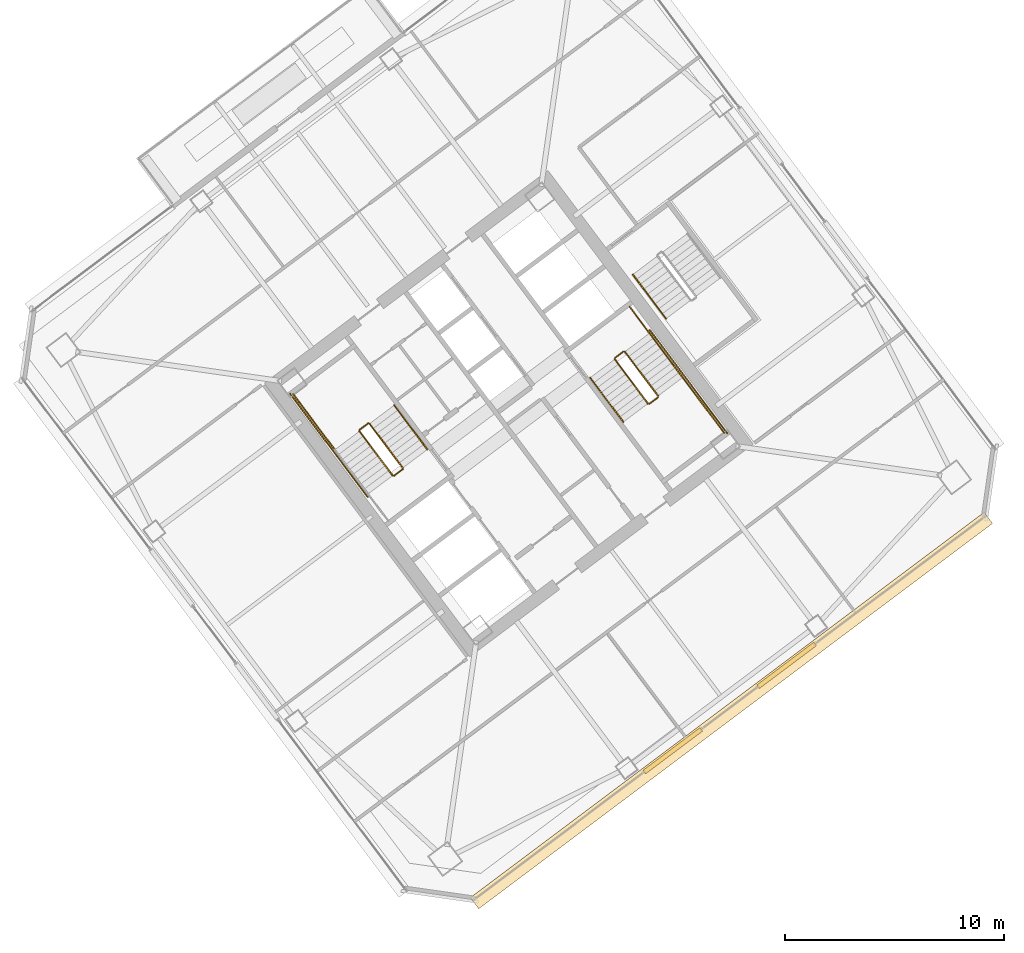
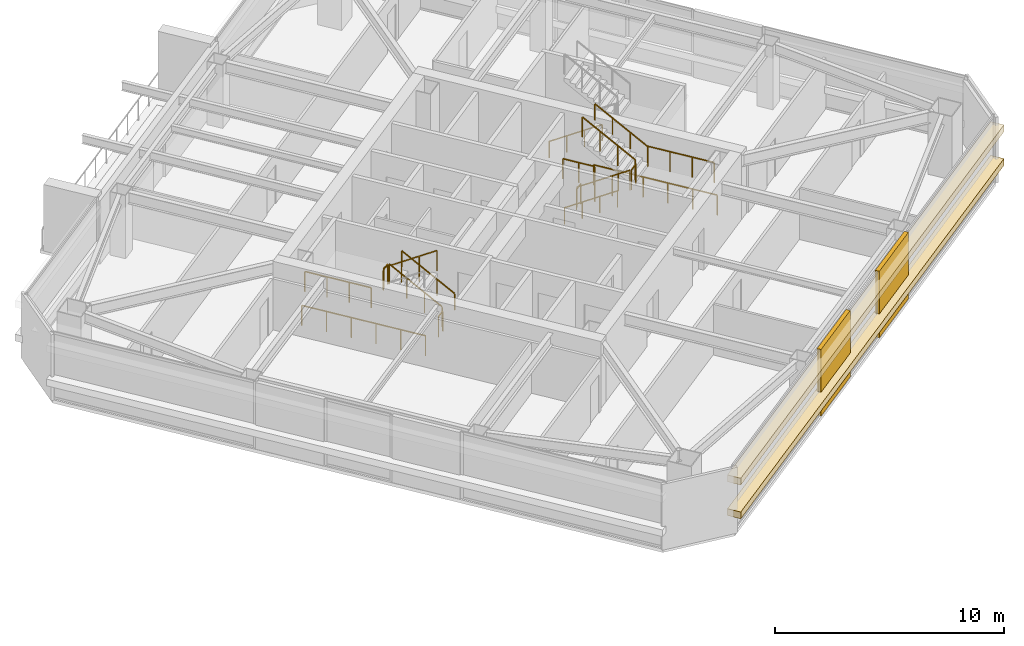
# One storey, part 40 of 43: 17 railings, 4 coverings.
"""IFC4 building model written with IfcOpenShell, lengths in metres."""

from ifc_helpers import new_model, si_unit, direction, frame, origin, origin_2d, place, context, subcontext, project, spatial, rectangle, extrude, material, layer, layer_set, type_object, element, save


model = new_model("IFC4")

# Units and contexts
model_context = context("Model", 3, precision=1e-05, world=origin(), true_north=direction((0.0, 1.0)))
body_context = subcontext(model_context, "Body", "Model", "MODEL_VIEW")
ifc_project = project(units=[si_unit("LENGTHUNIT", "METRE"), si_unit("AREAUNIT", "SQUARE_METRE"), si_unit("VOLUMEUNIT", "CUBIC_METRE"), si_unit("PLANEANGLEUNIT", "RADIAN"), si_unit("MASSUNIT", "GRAM", prefix="KILO")], contexts=[model_context])

# Site, building, storey
site_placement = place(None, origin())
site = spatial("IfcSite", under=ifc_project, at=site_placement, CompositionType="ELEMENT")
building_placement = place(site_placement, origin())
building = spatial("IfcBuilding", under=site, at=building_placement, Name="Tashvorn Skyway Center", CompositionType="ELEMENT")
storey_placement = place(building_placement, frame((0.0, 0.0, 188.949951171875)))
storey = spatial("IfcBuildingStorey", under=building, at=storey_placement, Name="L51", CompositionType="ELEMENT", Elevation=188.949951171875)

# Coverings
ifc_material_1 = material(Name="Precast concrete C40/50", Category="concrete")
ifc_layer_1 = layer(ifc_material_1, 0.199951171875)
ifc_layer_set_1 = layer_set([ifc_layer_1], Name="Precast concrete C40/50")
covering_type_1 = type_object("IfcCoveringType", Name="COV-BRACE-CLAD", PredefinedType="CLADDING", material=ifc_layer_set_1)
for number, where, z_axis, x_axis, name in (
    (1, (126.659912109375, 20.52001953125, 0.0), (0.0, 0.0, 1.0), (-0.799999996291, -0.600000004945, 0.0), "Tower 2 L51 South Unitised Curtain Wall Mega-Brace Cladding Band 1"),
    (2, (121.47607421875, 16.632080078125, 0.0), (0.0, 0.0, 1.0), (-0.799999996291, -0.600000004945, 0.0), "Tower 2 L51 South Unitised Curtain Wall Mega-Brace Cladding Band 2"),
):
    element("IfcCovering", number, at=place(storey_placement, frame(where, z_axis=z_axis, x_axis=x_axis)), inside=storey, type_object=covering_type_1, Name=name, PredefinedType="CLADDING", context=body_context, shape_type="SweptSolid", body=[
        extrude(rectangle(XDim=3.239990234375, YDim=0.199951171875, at=origin_2d()), origin(), (0.0, 0.0, 1.0), 3.550048828125),
    ])
ifc_material_2 = material(Name="Perforated ceramic-coated bronze aluminium solar screen", Category="aluminium")
ifc_layer_2 = layer(ifc_material_2, 0.85009765625)
ifc_layer_set_2 = layer_set([ifc_layer_2], Name="Perforated ceramic-coated bronze aluminium solar screen")
covering_type_2 = type_object("IfcCoveringType", Name="COV-SOLAR-BAND", PredefinedType="CLADDING", material=ifc_layer_set_2)
for number, where, z_axis, x_axis, name in (
    (3, (124.152099609375, 18.464111328125, 0.919921875), (0.0, 0.0, 1.0), (-0.799999996291, -0.600000004945, 0.0), "L51 Perforated Ceramic-Metal Solar Screen Louvre Band South 1"),
    (4, (124.152099609375, 18.464111328125, 2.72021484375), (0.0, 0.0, 1.0), (-0.799999996291, -0.600000004945, 0.0), "L51 Perforated Ceramic-Metal Solar Screen Louvre Band South 2"),
):
    element("IfcCovering", number, at=place(storey_placement, frame(where, z_axis=z_axis, x_axis=x_axis)), inside=storey, type_object=covering_type_2, Name=name, PredefinedType="CLADDING", context=body_context, shape_type="SweptSolid", body=[
        extrude(rectangle(XDim=29.280029296875, YDim=0.639892578125, at=origin_2d()), origin(), (0.0, 0.0, 1.0), 0.360107421875),
    ])

# Railings
ifc_material_3 = material(Name="Brushed stainless steel 316", Category="steel")
railing_type_1 = type_object("IfcRailingType", Name="RAIL-HAND-920", PredefinedType="HANDRAIL", material=ifc_material_3)
railing_1_placement = place(storey_placement, frame((110.2880859375, 30.365966796875, 0.177490234375)))
element("IfcRailing", 5, at=railing_1_placement, inside=storey, type_object=railing_type_1, Name="L51 ST-T2-1 stair handrail 1", PredefinedType="HANDRAIL", context=body_context, shape_type="SweptSolid", body=[
    extrude(rectangle(XDim=0.048095703125, YDim=0.048095703125, at=origin_2d()), frame((0.0, 0.0, 0.8759765625), z_axis=(-0.506779409603, 0.675651334276, 0.53541563714), x_axis=(-0.799976749893, -0.600030998891, 0.0)), (0.0, 0.0, 1.0), 2.98388671875),
    extrude(rectangle(XDim=0.0419921875, YDim=0.0419921875, at=origin_2d()), origin(), (0.0, 0.0, 1.0), 0.851806640625),
    extrude(rectangle(XDim=0.0419921875, YDim=0.0419921875, at=origin_2d()), frame((-0.504150390625, 0.672119140625, 0.532470703125)), (0.0, 0.0, 1.0), 0.851806640625),
    extrude(rectangle(XDim=0.0419921875, YDim=0.0419921875, at=origin_2d()), frame((-1.008056640625, 1.343994140625, 1.065185546875)), (0.0, 0.0, 1.0), 0.851806640625),
    extrude(rectangle(XDim=0.0419921875, YDim=0.0419921875, at=origin_2d()), frame((-1.51220703125, 2.01611328125, 1.59765625)), (0.0, 0.0, 1.0), 0.851806640625),
])
railing_2_placement = place(storey_placement, frame((117.7119140625, 33.634033203125, 0.177490234375)))
element("IfcRailing", 6, at=railing_2_placement, inside=storey, type_object=railing_type_1, Name="L51 ST-T2-2 stair handrail 1", PredefinedType="HANDRAIL", context=body_context, shape_type="SweptSolid", body=[
    extrude(rectangle(XDim=0.048095703125, YDim=0.048095703125, at=origin_2d()), frame((0.0, 0.0, 0.8759765625), z_axis=(0.506779409603, -0.675651334276, 0.53541563714), x_axis=(0.799976749893, 0.600030998891, 0.0)), (0.0, 0.0, 1.0), 2.98388671875),
    extrude(rectangle(XDim=0.0419921875, YDim=0.0419921875, at=origin_2d()), origin(), (0.0, 0.0, 1.0), 0.851806640625),
    extrude(rectangle(XDim=0.0419921875, YDim=0.0419921875, at=origin_2d()), frame((0.504150390625, -0.672119140625, 0.532470703125)), (0.0, 0.0, 1.0), 0.851806640625),
    extrude(rectangle(XDim=0.0419921875, YDim=0.0419921875, at=origin_2d()), frame((1.008056640625, -1.343994140625, 1.065185546875)), (0.0, 0.0, 1.0), 0.851806640625),
    extrude(rectangle(XDim=0.0419921875, YDim=0.0419921875, at=origin_2d()), frame((1.51220703125, -2.01611328125, 1.59765625)), (0.0, 0.0, 1.0), 0.851806640625),
])
railing_3_placement = place(storey_placement, frame((121.927978515625, 33.64599609375, 1.95263671875)))
element("IfcRailing", 7, at=railing_3_placement, inside=storey, type_object=railing_type_1, Name="L51 ST-T2-2 stair handrail 2", PredefinedType="HANDRAIL", context=body_context, shape_type="SweptSolid", body=[
    extrude(rectangle(XDim=0.048095703125, YDim=0.048095703125, at=origin_2d()), frame((0.0, 0.0, 0.8759765625), z_axis=(-0.506740800098, 0.675708949977, 0.535379469569), x_axis=(-0.800023250257, -0.599968998406, 0.0)), (0.0, 0.0, 1.0), 2.983642578125),
    extrude(rectangle(XDim=0.0419921875, YDim=0.0419921875, at=origin_2d()), origin(), (0.0, 0.0, 1.0), 0.851806640625),
    extrude(rectangle(XDim=0.0419921875, YDim=0.0419921875, at=origin_2d()), frame((-0.50390625, 0.672119140625, 0.532470703125)), (0.0, 0.0, 1.0), 0.851806640625),
    extrude(rectangle(XDim=0.0419921875, YDim=0.0419921875, at=origin_2d()), frame((-1.008056640625, 1.343994140625, 1.06494140625)), (0.0, 0.0, 1.0), 0.851806640625),
    extrude(rectangle(XDim=0.0419921875, YDim=0.0419921875, at=origin_2d()), frame((-1.511962890625, 2.01611328125, 1.597412109375)), (0.0, 0.0, 1.0), 0.851806640625),
])
railing_4_placement = place(storey_placement, frame((119.656005859375, 38.342041015625, 0.177490234375)))
element("IfcRailing", 8, at=railing_4_placement, inside=storey, type_object=railing_type_1, Name="L51 ST-T2-3 stair handrail 1", PredefinedType="HANDRAIL", context=body_context, shape_type="SweptSolid", body=[
    extrude(rectangle(XDim=0.048095703125, YDim=0.048095703125, at=origin_2d()), frame((0.0, 0.0, 0.8759765625), z_axis=(0.506718600913, -0.675679348675, 0.535437836974), x_axis=(0.800023250257, 0.599968998406, 0.0)), (0.0, 0.0, 1.0), 2.98388671875),
    extrude(rectangle(XDim=0.0419921875, YDim=0.0419921875, at=origin_2d()), origin(), (0.0, 0.0, 1.0), 0.851806640625),
    extrude(rectangle(XDim=0.0419921875, YDim=0.0419921875, at=origin_2d()), frame((0.50390625, -0.672119140625, 0.532470703125)), (0.0, 0.0, 1.0), 0.851806640625),
    extrude(rectangle(XDim=0.0419921875, YDim=0.0419921875, at=origin_2d()), frame((1.008056640625, -1.343994140625, 1.065185546875)), (0.0, 0.0, 1.0), 0.851806640625),
    extrude(rectangle(XDim=0.0419921875, YDim=0.0419921875, at=origin_2d()), frame((1.511962890625, -2.01611328125, 1.59765625)), (0.0, 0.0, 1.0), 0.851806640625),
])
ifc_material_4 = material(Name="Painted galvanized steel S355", Category="steel")
railing_type_2 = type_object("IfcRailingType", Name="RAIL-STGUARD-1100", PredefinedType="GUARDRAIL", material=ifc_material_4)
railing_5_placement = place(storey_placement, frame((109.16796875, 29.52587890625, 0.177490234375)))
element("IfcRailing", 9, at=railing_5_placement, inside=storey, type_object=railing_type_2, Name="L51 ST-T2-1 stair guard 1", PredefinedType="GUARDRAIL", context=body_context, shape_type="SweptSolid", body=[
    extrude(rectangle(XDim=0.048095703125, YDim=0.048095703125, at=origin_2d()), frame((0.0, 0.0, 1.076171875), z_axis=(-0.506718600913, 0.675679348675, 0.535437836974), x_axis=(-0.800023250257, -0.599968998406, 0.0)), (0.0, 0.0, 1.0), 2.98388671875),
    extrude(rectangle(XDim=0.0419921875, YDim=0.0419921875, at=origin_2d()), origin(), (0.0, 0.0, 1.0), 1.052001953125),
    extrude(rectangle(XDim=0.0419921875, YDim=0.0419921875, at=origin_2d()), frame((-0.50390625, 0.672119140625, 0.532470703125)), (0.0, 0.0, 1.0), 1.052001953125),
    extrude(rectangle(XDim=0.0419921875, YDim=0.0419921875, at=origin_2d()), frame((-1.008056640625, 1.343994140625, 1.065185546875)), (0.0, 0.0, 1.0), 1.052001953125),
    extrude(rectangle(XDim=0.0419921875, YDim=0.0419921875, at=origin_2d()), frame((-1.511962890625, 2.01611328125, 1.59765625)), (0.0, 0.0, 1.0), 1.052001953125),
])
railing_6_placement = place(storey_placement, frame((107.5859375, 31.552001953125, 1.775146484375)))
element("IfcRailing", 10, at=railing_6_placement, inside=storey, type_object=railing_type_2, Name="L51 ST-T2-1 stair guard 2", PredefinedType="GUARDRAIL", context=body_context, shape_type="SweptSolid", body=[
    extrude(rectangle(XDim=0.048095703125, YDim=0.048095703125, at=origin_2d()), frame((0.0, 0.0, 1.076171875), z_axis=(-0.799938970639, -0.600081363861, 0.0), x_axis=(0.600081363861, -0.799938970639, 0.0)), (0.0, 0.0, 1.0), 0.47998046875),
    extrude(rectangle(XDim=0.0419921875, YDim=0.0419921875, at=origin_2d()), origin(), (0.0, 0.0, 1.0), 1.052001953125),
    extrude(rectangle(XDim=0.0419921875, YDim=0.0419921875, at=origin_2d()), frame((-0.384033203125, -0.2880859375, 0.0)), (0.0, 0.0, 1.0), 1.052001953125),
])
railing_7_placement = place(storey_placement, frame((106.072021484375, 30.35400390625, 1.775146484375)))
element("IfcRailing", 11, at=railing_7_placement, inside=storey, type_object=railing_type_2, Name="L51 ST-T2-1 stair guard 3", PredefinedType="GUARDRAIL", context=body_context, shape_type="SweptSolid", body=[
    extrude(rectangle(XDim=0.048095703125, YDim=0.048095703125, at=origin_2d()), frame((0.0, 0.0, 1.076171875), z_axis=(-0.599987638607, 0.800009270896, 0.0), x_axis=(-0.800009270896, -0.599987638607, 0.0)), (0.0, 0.0, 1.0), 3.16015625),
    extrude(rectangle(XDim=0.0419921875, YDim=0.0419921875, at=origin_2d()), origin(), (0.0, 0.0, 1.0), 1.052001953125),
    extrude(rectangle(XDim=0.0419921875, YDim=0.0419921875, at=origin_2d()), frame((-0.632080078125, 0.8427734375, 0.0)), (0.0, 0.0, 1.0), 1.052001953125),
    extrude(rectangle(XDim=0.0419921875, YDim=0.0419921875, at=origin_2d()), frame((-1.263916015625, 1.685302734375, 0.0)), (0.0, 0.0, 1.0), 1.052001953125),
    extrude(rectangle(XDim=0.0419921875, YDim=0.0419921875, at=origin_2d()), frame((-1.89599609375, 2.528076171875, 0.0)), (0.0, 0.0, 1.0), 1.052001953125),
])
railing_8_placement = place(storey_placement, frame((107.19189453125, 31.194091796875, 1.95263671875)))
element("IfcRailing", 12, at=railing_8_placement, inside=storey, type_object=railing_type_2, Name="L51 ST-T2-1 stair guard 4", PredefinedType="GUARDRAIL", context=body_context, shape_type="SweptSolid", body=[
    extrude(rectangle(XDim=0.048095703125, YDim=0.048095703125, at=origin_2d()), frame((0.0, 0.0, 1.076171875), z_axis=(0.506801609611, -0.675680931896, 0.535357270211), x_axis=(0.799976749893, 0.600030998891, 0.0)), (0.0, 0.0, 1.0), 2.98388671875),
    extrude(rectangle(XDim=0.0419921875, YDim=0.0419921875, at=origin_2d()), origin(), (0.0, 0.0, 1.0), 1.052001953125),
    extrude(rectangle(XDim=0.0419921875, YDim=0.0419921875, at=origin_2d()), frame((0.504150390625, -0.672119140625, 0.532470703125)), (0.0, 0.0, 1.0), 1.052001953125),
    extrude(rectangle(XDim=0.0419921875, YDim=0.0419921875, at=origin_2d()), frame((1.008056640625, -1.343994140625, 1.06494140625)), (0.0, 0.0, 1.0), 1.052001953125),
    extrude(rectangle(XDim=0.0419921875, YDim=0.0419921875, at=origin_2d()), frame((1.51220703125, -2.01611328125, 1.597412109375)), (0.0, 0.0, 1.0), 1.052001953125),
])
railing_9_placement = place(storey_placement, frame((109.157958984375, 29.4560546875, 0.0)))
element("IfcRailing", 13, at=railing_9_placement, inside=storey, type_object=railing_type_2, Name="L51 ST-T2-1 stair guard 5", PredefinedType="GUARDRAIL", context=body_context, shape_type="SweptSolid", body=[
    extrude(rectangle(XDim=0.048095703125, YDim=0.048095703125, at=origin_2d()), frame((0.0, 0.0, 1.076171875), z_axis=(-0.799938970639, -0.600081363861, 0.0), x_axis=(0.600081363861, -0.799938970639, 0.0)), (0.0, 0.0, 1.0), 0.47998046875),
    extrude(rectangle(XDim=0.0419921875, YDim=0.0419921875, at=origin_2d()), origin(), (0.0, 0.0, 1.0), 1.052001953125),
    extrude(rectangle(XDim=0.0419921875, YDim=0.0419921875, at=origin_2d()), frame((-0.384033203125, -0.2880859375, 0.0)), (0.0, 0.0, 1.0), 1.052001953125),
])
railing_10_placement = place(storey_placement, frame((107.56396484375, 28.197998046875, 0.0)))
element("IfcRailing", 14, at=railing_10_placement, inside=storey, type_object=railing_type_2, Name="L51 ST-T2-1 stair guard 7", PredefinedType="GUARDRAIL", context=body_context, shape_type="SweptSolid", body=[
    extrude(rectangle(XDim=0.048095703125, YDim=0.048095703125, at=origin_2d()), frame((0.0, 0.0, 1.076171875), z_axis=(-0.6, 0.8, 0.0), x_axis=(-0.8, -0.6, 0.0)), (0.0, 0.0, 1.0), 5.880126953125),
    extrude(rectangle(XDim=0.0419921875, YDim=0.0419921875, at=origin_2d()), origin(), (0.0, 0.0, 1.0), 1.052001953125),
    extrude(rectangle(XDim=0.0419921875, YDim=0.0419921875, at=origin_2d()), frame((-0.70556640625, 0.94091796875, 0.0)), (0.0, 0.0, 1.0), 1.052001953125),
    extrude(rectangle(XDim=0.0419921875, YDim=0.0419921875, at=origin_2d()), frame((-1.4111328125, 1.881591796875, 0.0)), (0.0, 0.0, 1.0), 1.052001953125),
    extrude(rectangle(XDim=0.0419921875, YDim=0.0419921875, at=origin_2d()), frame((-2.116943359375, 2.822509765625, 0.0)), (0.0, 0.0, 1.0), 1.052001953125),
    extrude(rectangle(XDim=0.0419921875, YDim=0.0419921875, at=origin_2d()), frame((-2.822509765625, 3.76318359375, 0.0)), (0.0, 0.0, 1.0), 1.052001953125),
    extrude(rectangle(XDim=0.0419921875, YDim=0.0419921875, at=origin_2d()), frame((-3.528076171875, 4.7041015625, 0.0)), (0.0, 0.0, 1.0), 1.052001953125),
])
railing_11_placement = place(storey_placement, frame((118.83203125, 34.47412109375, 0.177490234375)))
element("IfcRailing", 15, at=railing_11_placement, inside=storey, type_object=railing_type_2, Name="L51 ST-T2-2 stair guard 1", PredefinedType="GUARDRAIL", context=body_context, shape_type="SweptSolid", body=[
    extrude(rectangle(XDim=0.048095703125, YDim=0.048095703125, at=origin_2d()), frame((0.0, 0.0, 1.076171875), z_axis=(0.506718600913, -0.675679348675, 0.535437836974), x_axis=(0.800023250257, 0.599968998406, 0.0)), (0.0, 0.0, 1.0), 2.98388671875),
    extrude(rectangle(XDim=0.0419921875, YDim=0.0419921875, at=origin_2d()), origin(), (0.0, 0.0, 1.0), 1.052001953125),
    extrude(rectangle(XDim=0.0419921875, YDim=0.0419921875, at=origin_2d()), frame((0.50390625, -0.672119140625, 0.532470703125)), (0.0, 0.0, 1.0), 1.052001953125),
    extrude(rectangle(XDim=0.0419921875, YDim=0.0419921875, at=origin_2d()), frame((1.008056640625, -1.343994140625, 1.065185546875)), (0.0, 0.0, 1.0), 1.052001953125),
    extrude(rectangle(XDim=0.0419921875, YDim=0.0419921875, at=origin_2d()), frame((1.511962890625, -2.01611328125, 1.59765625)), (0.0, 0.0, 1.0), 1.052001953125),
])
railing_12_placement = place(storey_placement, frame((120.4140625, 32.447998046875, 1.775146484375)))
element("IfcRailing", 16, at=railing_12_placement, inside=storey, type_object=railing_type_2, Name="L51 ST-T2-2 stair guard 2", PredefinedType="GUARDRAIL", context=body_context, shape_type="SweptSolid", body=[
    extrude(rectangle(XDim=0.048095703125, YDim=0.048095703125, at=origin_2d()), frame((0.0, 0.0, 1.076171875), z_axis=(0.799938970639, 0.600081363861, 0.0), x_axis=(-0.600081363861, 0.799938970639, 0.0)), (0.0, 0.0, 1.0), 0.47998046875),
    extrude(rectangle(XDim=0.0419921875, YDim=0.0419921875, at=origin_2d()), origin(), (0.0, 0.0, 1.0), 1.052001953125),
    extrude(rectangle(XDim=0.0419921875, YDim=0.0419921875, at=origin_2d()), frame((0.384033203125, 0.2880859375, 0.0)), (0.0, 0.0, 1.0), 1.052001953125),
])
railing_13_placement = place(storey_placement, frame((121.927978515625, 33.64599609375, 1.775146484375)))
element("IfcRailing", 17, at=railing_13_placement, inside=storey, type_object=railing_type_2, Name="L51 ST-T2-2 stair guard 3", PredefinedType="GUARDRAIL", context=body_context, shape_type="SweptSolid", body=[
    extrude(rectangle(XDim=0.048095703125, YDim=0.048095703125, at=origin_2d()), frame((0.0, 0.0, 1.076171875), z_axis=(0.599987638607, -0.800009270896, 0.0), x_axis=(0.800009270896, 0.599987638607, 0.0)), (0.0, 0.0, 1.0), 3.16015625),
    extrude(rectangle(XDim=0.0419921875, YDim=0.0419921875, at=origin_2d()), origin(), (0.0, 0.0, 1.0), 1.052001953125),
    extrude(rectangle(XDim=0.0419921875, YDim=0.0419921875, at=origin_2d()), frame((0.632080078125, -0.8427734375, 0.0)), (0.0, 0.0, 1.0), 1.052001953125),
    extrude(rectangle(XDim=0.0419921875, YDim=0.0419921875, at=origin_2d()), frame((1.263916015625, -1.685302734375, 0.0)), (0.0, 0.0, 1.0), 1.052001953125),
    extrude(rectangle(XDim=0.0419921875, YDim=0.0419921875, at=origin_2d()), frame((1.89599609375, -2.528076171875, 0.0)), (0.0, 0.0, 1.0), 1.052001953125),
])
railing_14_placement = place(storey_placement, frame((120.80810546875, 32.805908203125, 1.95263671875)))
element("IfcRailing", 18, at=railing_14_placement, inside=storey, type_object=railing_type_2, Name="L51 ST-T2-2 stair guard 4", PredefinedType="GUARDRAIL", context=body_context, shape_type="SweptSolid", body=[
    extrude(rectangle(XDim=0.048095703125, YDim=0.048095703125, at=origin_2d()), frame((0.0, 0.0, 1.076171875), z_axis=(-0.506801609611, 0.675680931896, 0.535357270211), x_axis=(-0.799976749893, -0.600030998891, 0.0)), (0.0, 0.0, 1.0), 2.98388671875),
    extrude(rectangle(XDim=0.0419921875, YDim=0.0419921875, at=origin_2d()), origin(), (0.0, 0.0, 1.0), 1.052001953125),
    extrude(rectangle(XDim=0.0419921875, YDim=0.0419921875, at=origin_2d()), frame((-0.504150390625, 0.672119140625, 0.532470703125)), (0.0, 0.0, 1.0), 1.052001953125),
    extrude(rectangle(XDim=0.0419921875, YDim=0.0419921875, at=origin_2d()), frame((-1.008056640625, 1.343994140625, 1.06494140625)), (0.0, 0.0, 1.0), 1.052001953125),
    extrude(rectangle(XDim=0.0419921875, YDim=0.0419921875, at=origin_2d()), frame((-1.51220703125, 2.01611328125, 1.597412109375)), (0.0, 0.0, 1.0), 1.052001953125),
])
railing_15_placement = place(storey_placement, frame((118.842041015625, 34.5439453125, 0.0)))
element("IfcRailing", 19, at=railing_15_placement, inside=storey, type_object=railing_type_2, Name="L51 ST-T2-2 stair guard 5", PredefinedType="GUARDRAIL", context=body_context, shape_type="SweptSolid", body=[
    extrude(rectangle(XDim=0.048095703125, YDim=0.048095703125, at=origin_2d()), frame((0.0, 0.0, 1.076171875), z_axis=(0.799938970639, 0.600081363861, 0.0), x_axis=(-0.600081363861, 0.799938970639, 0.0)), (0.0, 0.0, 1.0), 0.47998046875),
    extrude(rectangle(XDim=0.0419921875, YDim=0.0419921875, at=origin_2d()), origin(), (0.0, 0.0, 1.0), 1.052001953125),
    extrude(rectangle(XDim=0.0419921875, YDim=0.0419921875, at=origin_2d()), frame((0.384033203125, 0.2880859375, 0.0)), (0.0, 0.0, 1.0), 1.052001953125),
])
railing_16_placement = place(storey_placement, frame((119.50390625, 36.8779296875, 0.0)))
element("IfcRailing", 20, at=railing_16_placement, inside=storey, type_object=railing_type_2, Name="L51 ST-T2-2 stair guard 6", PredefinedType="GUARDRAIL", context=body_context, shape_type="SweptSolid", body=[
    extrude(rectangle(XDim=0.048095703125, YDim=0.048095703125, at=origin_2d()), frame((0.0, 0.0, 1.076171875), z_axis=(0.600102796382, -0.799922892393, 0.0), x_axis=(0.799922892393, 0.600102796382, 0.0)), (0.0, 0.0, 1.0), 1.52001953125),
    extrude(rectangle(XDim=0.0419921875, YDim=0.0419921875, at=origin_2d()), origin(), (0.0, 0.0, 1.0), 1.052001953125),
    extrude(rectangle(XDim=0.0419921875, YDim=0.0419921875, at=origin_2d()), frame((0.4560546875, -0.60791015625, 0.0)), (0.0, 0.0, 1.0), 1.052001953125),
    extrude(rectangle(XDim=0.0419921875, YDim=0.0419921875, at=origin_2d()), frame((0.912109375, -1.2158203125, 0.0)), (0.0, 0.0, 1.0), 1.052001953125),
])
railing_17_placement = place(storey_placement, frame((120.43603515625, 35.802001953125, 0.0)))
element("IfcRailing", 21, at=railing_17_placement, inside=storey, type_object=railing_type_2, Name="L51 ST-T2-2 stair guard 7", PredefinedType="GUARDRAIL", context=body_context, shape_type="SweptSolid", body=[
    extrude(rectangle(XDim=0.048095703125, YDim=0.048095703125, at=origin_2d()), frame((0.0, 0.0, 1.076171875), z_axis=(0.6, -0.8, 0.0), x_axis=(0.8, 0.6, 0.0)), (0.0, 0.0, 1.0), 5.880126953125),
    extrude(rectangle(XDim=0.0419921875, YDim=0.0419921875, at=origin_2d()), origin(), (0.0, 0.0, 1.0), 1.052001953125),
    extrude(rectangle(XDim=0.0419921875, YDim=0.0419921875, at=origin_2d()), frame((0.70556640625, -0.94091796875, 0.0)), (0.0, 0.0, 1.0), 1.052001953125),
    extrude(rectangle(XDim=0.0419921875, YDim=0.0419921875, at=origin_2d()), frame((1.4111328125, -1.881591796875, 0.0)), (0.0, 0.0, 1.0), 1.052001953125),
    extrude(rectangle(XDim=0.0419921875, YDim=0.0419921875, at=origin_2d()), frame((2.116943359375, -2.822509765625, 0.0)), (0.0, 0.0, 1.0), 1.052001953125),
    extrude(rectangle(XDim=0.0419921875, YDim=0.0419921875, at=origin_2d()), frame((2.822509765625, -3.76318359375, 0.0)), (0.0, 0.0, 1.0), 1.052001953125),
    extrude(rectangle(XDim=0.0419921875, YDim=0.0419921875, at=origin_2d()), frame((3.528076171875, -4.7041015625, 0.0)), (0.0, 0.0, 1.0), 1.052001953125),
])

save(model, "model.ifc")
